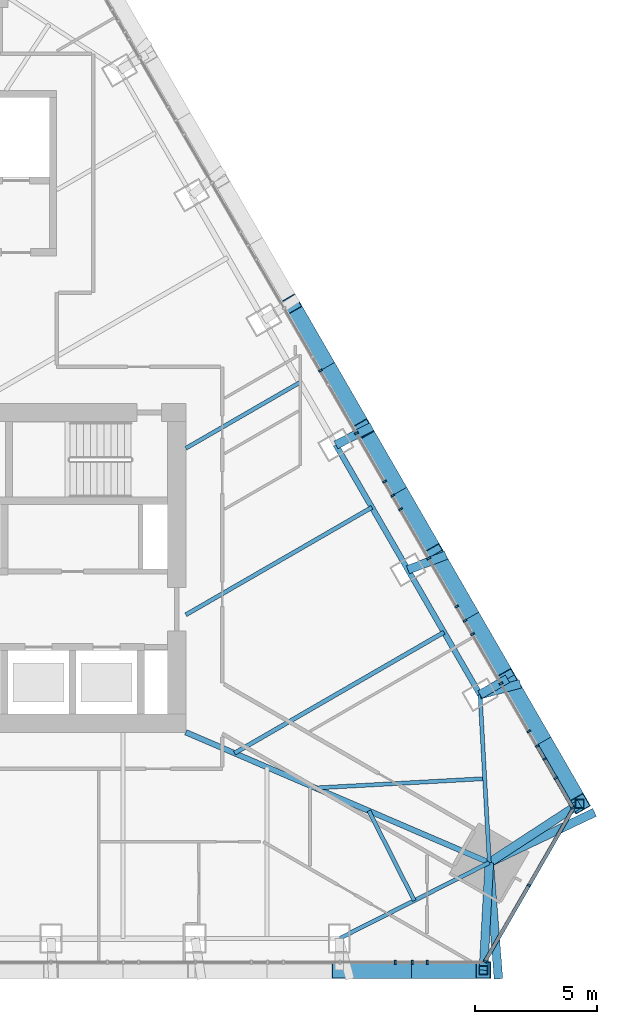
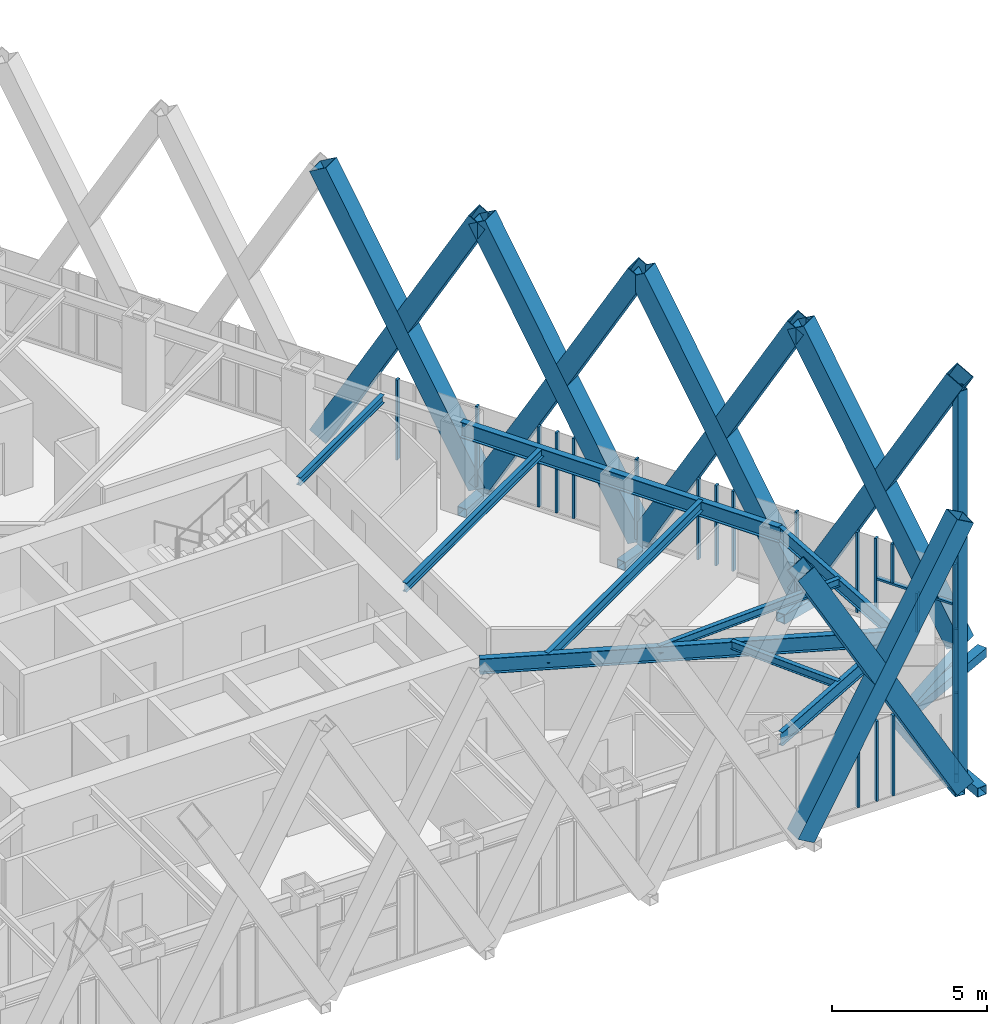
# One storey, part 7 of 23: 42 members, 9 beams, 3 elements without a shape of their own.
"""IFC4 building model written with IfcOpenShell, lengths in metres."""

import ifcopenshell
import ifcopenshell.guid

model = None  # the IFC model being written
_history = None  # IfcOwnerHistory: only IFC2X3 demands one
_inside = {}  # id of a spatial element -> (the spatial element, [elements in it])
_under = {}  # id of a project, library or spatial element -> (it, [spatial elements below it])
_declared = {}  # id of a project -> (the project, [libraries it declares])
_typed = {}  # id of a type object -> (the type object, [elements of that type])
_made_of = {}  # id of a material, layer set ... -> (it, [elements and type objects made of it])


def new_model(schema):
    """Start an empty IFC model of exactly this schema.

    Asked for "IFC4X3", IfcOpenShell would pick the latest addendum, in which some entities
    have other attributes; the version numbers below select the first issue.
    IFC2X3 requires an IfcOwnerHistory on every rooted entity: one is made here for all.
    """
    global model, _history
    if schema == "IFC4X3":
        model = ifcopenshell.file(schema_version=(4, 3, 0, 0))
    else:
        model = ifcopenshell.file(schema=schema)
    _inside.clear()
    _under.clear()
    _declared.clear()
    _typed.clear()
    _made_of.clear()
    _history = None
    if model.schema == "IFC2X3":
        org = make("IfcOrganization", Name="unknown")
        user = make(
            "IfcPersonAndOrganization",
            ThePerson=make("IfcPerson", FamilyName="unknown"),
            TheOrganization=org,
        )
        app = make(
            "IfcApplication",
            ApplicationDeveloper=org,
            Version="unknown",
            ApplicationFullName="unknown",
            ApplicationIdentifier="unknown",
        )
        _history = make(
            "IfcOwnerHistory",
            OwningUser=user,
            OwningApplication=app,
            ChangeAction="ADDED",
            CreationDate=0,
        )
    return model


def make(cls, **values):
    """One entity of the class cls with the attributes given. An attribute that is None is left unset."""
    return model.create_entity(
        cls, **{name: value for name, value in values.items() if value is not None}
    )


def rooted(cls, **values):
    """An entity with a GlobalId (a new one), such as an element, a storey or a relation."""
    return make(cls, GlobalId=ifcopenshell.guid.new(), OwnerHistory=_history, **values)


def si_unit(unit_type, name, prefix=None):
    """IfcSIUnit, for example si_unit("LENGTHUNIT", "METRE", prefix="MILLI")."""
    return make("IfcSIUnit", UnitType=unit_type, Prefix=prefix, Name=name)


def assignment(units):
    """IfcUnitAssignment: the units of a project."""
    return None if units is None else make("IfcUnitAssignment", Units=units)


def point(xyz):
    """IfcCartesianPoint."""
    return None if xyz is None else make("IfcCartesianPoint", Coordinates=xyz)


def direction(xyz):
    """IfcDirection."""
    return None if xyz is None else make("IfcDirection", DirectionRatios=xyz)


def frame(location, z_axis=None, x_axis=None):
    """IfcAxis2Placement3D, a coordinate frame: its origin and axes. An axis left out is left unset."""
    return make(
        "IfcAxis2Placement3D",
        Location=point(location),
        Axis=direction(z_axis),
        RefDirection=direction(x_axis),
    )


def frame_2d(location, x_axis=None):
    """IfcAxis2Placement2D, a coordinate frame in the plane: its origin and x axis."""
    return make(
        "IfcAxis2Placement2D", Location=point(location), RefDirection=direction(x_axis)
    )


def origin():
    """The frame at (0, 0, 0) with its axes left unset."""
    return frame((0.0, 0.0, 0.0))


def origin_2d():
    """The frame at (0, 0) in the plane with its x axis left unset."""
    return frame_2d((0.0, 0.0))


def place(relative_to, where):
    """IfcLocalPlacement: puts the frame where relative to a parent placement (None: the world)."""
    return make(
        "IfcLocalPlacement", PlacementRelTo=relative_to, RelativePlacement=where
    )


def context(
    kind, dimensions, precision=None, world=None, true_north=None, identifier=None
):
    """IfcGeometricRepresentationContext, for example the 3D "Model" context."""
    return make(
        "IfcGeometricRepresentationContext",
        ContextIdentifier=identifier,
        ContextType=kind,
        CoordinateSpaceDimension=dimensions,
        Precision=precision,
        WorldCoordinateSystem=world,
        TrueNorth=true_north,
    )


def subcontext(parent, identifier, kind, view, scale=None):
    """IfcGeometricRepresentationSubContext, for example "Body" below "Model"."""
    return make(
        "IfcGeometricRepresentationSubContext",
        ContextIdentifier=identifier,
        ContextType=kind,
        ParentContext=parent,
        TargetScale=scale,
        TargetView=view,
    )


def project(units=None, contexts=None):
    """IfcProject with its units and contexts."""
    return rooted(
        "IfcProject",
        Name="project",
        RepresentationContexts=contexts,
        UnitsInContext=assignment(units),
    )


def spatial(cls, under=None, at=None, **own):
    """A site, building, storey or space (cls), placed at a placement, below another one or the project."""
    s = rooted(cls, ObjectPlacement=at, **own)
    if under is not None:
        _under.setdefault(under.id(), (under, []))[1].append(s)
    return s


def profile(cls, at=None, kind="AREA", **sizes):
    """A parametric profile (cls). Its sizes go by their IFC names, for example OverallWidth=200.0."""
    return make(cls, ProfileType=kind, Position=at, **sizes)


def rectangle(**sizes):
    """IfcRectangleProfileDef."""
    return profile("IfcRectangleProfileDef", **sizes)


def hollow_rectangle(**sizes):
    """IfcRectangleHollowProfileDef."""
    return profile("IfcRectangleHollowProfileDef", **sizes)


def i_section(**sizes):
    """IfcIShapeProfileDef."""
    return profile("IfcIShapeProfileDef", **sizes)


def extrude(swept, where, along, depth):
    """IfcExtrudedAreaSolid: the profile swept, set in the frame where, extruded along a direction by depth."""
    return make(
        "IfcExtrudedAreaSolid",
        SweptArea=swept,
        Position=where,
        ExtrudedDirection=direction(along),
        Depth=depth,
    )


def shape(context_of_items, identifier, shape_type, items):
    """IfcShapeRepresentation: the items that make up one representation, for example the "Body"."""
    return make(
        "IfcShapeRepresentation",
        ContextOfItems=context_of_items,
        RepresentationIdentifier=identifier,
        RepresentationType=shape_type,
        Items=items,
    )


def material(Name=None, Category=None):
    """IfcMaterial."""
    return make("IfcMaterial", Name=Name, Category=Category)


def layer(
    of_material, thickness, ventilated=None, Name=None, Category=None, Priority=None
):
    """IfcMaterialLayer: one layer of a wall or slab, of a material (None: an air gap)."""
    return make(
        "IfcMaterialLayer",
        Material=of_material,
        LayerThickness=thickness,
        IsVentilated=ventilated,
        Name=Name,
        Category=Category,
        Priority=Priority,
    )


def layer_set(layers, Name=None):
    """IfcMaterialLayerSet."""
    return make("IfcMaterialLayerSet", MaterialLayers=layers, LayerSetName=Name)


def material_profile(
    of_material, cross_section, Name=None, Category=None, Priority=None
):
    """IfcMaterialProfile: a cross section and its material."""
    return make(
        "IfcMaterialProfile",
        Name=Name,
        Material=of_material,
        Profile=cross_section,
        Priority=Priority,
        Category=Category,
    )


def profile_set(profiles, Name=None, composite=None):
    """IfcMaterialProfileSet."""
    return make(
        "IfcMaterialProfileSet",
        Name=Name,
        MaterialProfiles=profiles,
        CompositeProfile=composite,
    )


def made_of(thing, what):
    """Note that an element or type object is made of a material, layer set ...; save() writes the relation."""
    if what is not None:
        _made_of.setdefault(what.id(), (what, []))[1].append(thing)
    return thing


def type_object(cls, material=None, **own):
    """A type object (cls), such as IfcWallType, which elements share."""
    return made_of(rooted(cls, **own), material)


def element(
    cls,
    number,
    at=None,
    inside=None,
    cuts=None,
    type_object=None,
    material=None,
    context=None,
    identifier="Body",
    shape_type=None,
    held_by="IfcProductDefinitionShape",
    body=None,
    shapes=None,
    **own,
):
    """One element of the class cls, such as IfcWall. Its Tag is "e" and its number.

    at: its placement. inside: the storey or other place that contains it. cuts: it is an
    opening in that element (IfcRelVoidsElement). A single representation is given by context,
    identifier, shape_type and body (its items); several are given by shapes. held_by: the class
    of the entity that holds the representations. save() writes the other relations.
    """
    e = rooted(cls, Tag="e%d" % number, ObjectPlacement=at, **own)
    if body is not None:
        shapes = [shape(context, identifier, shape_type, body)]
    if shapes is not None:
        e.Representation = make(held_by, Representations=shapes)
    if inside is not None:
        _inside.setdefault(inside.id(), (inside, []))[1].append(e)
    if cuts is not None:
        rooted(
            "IfcRelVoidsElement", RelatingBuildingElement=cuts, RelatedOpeningElement=e
        )
    if type_object is not None:
        _typed.setdefault(type_object.id(), (type_object, []))[1].append(e)
    return made_of(e, material)


def aggregate(whole, parts):
    """IfcRelAggregates: a whole, such as a stair, and the parts it consists of."""
    return rooted("IfcRelAggregates", RelatingObject=whole, RelatedObjects=parts)


def save(model, path):
    """Write the relations noted so far, then the file.

    IfcRelAggregates (storeys below a building ...), IfcRelContainedInSpatialStructure (elements
    in a storey), IfcRelDefinesByType, IfcRelAssociatesMaterial and IfcRelDeclares: one each for
    every whole, place, type object, material and project.
    """
    for whole, parts in _under.values():
        aggregate(whole, parts)
    for where, things in _inside.values():
        rooted(
            "IfcRelContainedInSpatialStructure",
            RelatedElements=things,
            RelatingStructure=where,
        )
    for kind, things in _typed.values():
        rooted("IfcRelDefinesByType", RelatedObjects=things, RelatingType=kind)
    for what, things in _made_of.values():
        rooted("IfcRelAssociatesMaterial", RelatedObjects=things, RelatingMaterial=what)
    for by, libraries in _declared.values():
        rooted("IfcRelDeclares", RelatingContext=by, RelatedDefinitions=libraries)
    model.write(path)


model = new_model("IFC4")

# Units and contexts
model_context = context("Model", 3, precision=1e-05, world=origin(), true_north=direction((0.0, 1.0)))
body_context = subcontext(model_context, "Body", "Model", "MODEL_VIEW")
ifc_project = project(units=[si_unit("LENGTHUNIT", "METRE"), si_unit("AREAUNIT", "SQUARE_METRE"), si_unit("VOLUMEUNIT", "CUBIC_METRE"), si_unit("PLANEANGLEUNIT", "RADIAN"), si_unit("MASSUNIT", "GRAM", prefix="KILO")], contexts=[model_context])

# Site, building, storey
site_placement = place(None, origin())
site = spatial("IfcSite", under=ifc_project, at=site_placement, CompositionType="ELEMENT")
building_placement = place(site_placement, origin())
building = spatial("IfcBuilding", under=site, at=building_placement, Name="Firuza Gate Tower and Library", CompositionType="ELEMENT")
storey_placement = place(building_placement, frame((0.0, 0.0, 312.60009765625)))
storey = spatial("IfcBuildingStorey", under=building, at=storey_placement, Name="L76", CompositionType="ELEMENT", Elevation=312.60009765625)

# Members
ifc_material_1 = material(Name="Steel S355", Category="steel")
ifc_material_profile_1 = material_profile(ifc_material_1, hollow_rectangle(XDim=0.699951171875, YDim=0.699951171875, WallThickness=0.030029296875, at=origin_2d()))
ifc_profile_set_1 = profile_set([ifc_material_profile_1], Name="Steel S355")
member_type_1 = type_object("IfcMemberType", Name="BU700x700x30 Lattice brace", PredefinedType="BRACE", material=ifc_profile_set_1)
for number, where, z_axis, x_axis, name in (
    (1, (89.800048828125, 58.48046875, 0.0), (0.491122612788, 0.0, 0.871090454091), (0.0, 1.0, 0.0), "Lattice brace S 20.7R"),
    (2, (95.719970703125, 58.48046875, 0.0), (-0.491122612788, 0.0, 0.871090454091), (0.0, -1.0, 0.0), "Lattice brace S 20.7L"),
    (3, (99.66650390625, 65.315673828125, 0.0), (-0.245579035861, 0.42533276314, 0.871081498911), (-0.866013897511, -0.50001992892, 0.0), "Lattice brace E 20.1R"),
    (4, (96.706298828125, 70.442626953125, 0.0), (0.245579035861, -0.42533276314, 0.871081498911), (0.866013897511, 0.50001992892, 0.0), "Lattice brace E 20.1L"),
    (5, (96.706298828125, 70.442626953125, 0.0), (-0.245560003274, 0.42533487865, 0.871085831475), (-0.866031754707, -0.499988999718, 0.0), "Lattice brace E 20.2R"),
    (6, (93.746337890625, 75.569580078125, 0.0), (0.245560003274, -0.42533487865, 0.871085831475), (0.866031754707, 0.499988999718, 0.0), "Lattice brace E 20.2L"),
):
    element("IfcMember", number, at=place(storey_placement, frame(where, z_axis=z_axis, x_axis=x_axis)), inside=storey, type_object=member_type_1, Name=name, PredefinedType="BRACE", context=body_context, shape_type="SweptSolid", body=[
        extrude(hollow_rectangle(XDim=0.699951171875, YDim=0.699951171875, WallThickness=0.030029296875, at=origin_2d()), origin(), (0.0, 0.0, 1.0), 12.053955078125),
    ])
for number, where, z_axis, x_axis, name in (
    (7, (93.746337890625, 75.569580078125, 0.0), (-0.245562118689, 0.425318288547, 0.87109333558), (-0.866021444707, -0.500006857261, 0.0), "Lattice brace E 20.3R"),
    (8, (90.786376953125, 80.6962890625, 0.0), (0.245562118689, -0.425318288547, 0.87109333558), (0.866021444707, 0.500006857261, 0.0), "Lattice brace E 20.3L"),
):
    element("IfcMember", number, at=place(storey_placement, frame(where, z_axis=z_axis, x_axis=x_axis)), inside=storey, type_object=member_type_1, Name=name, PredefinedType="BRACE", context=body_context, shape_type="SweptSolid", body=[
        extrude(hollow_rectangle(XDim=0.699951171875, YDim=0.699951171875, WallThickness=0.030029296875, at=origin_2d()), origin(), (0.0, 0.0, 1.0), 12.0537109375),
    ])
for number, where, z_axis, x_axis, name in (
    (9, (90.786376953125, 80.6962890625, 0.0), (-0.245560003274, 0.42533487865, 0.871085831475), (-0.866031754707, -0.499988999718, 0.0), "Lattice brace E 20.4R"),
    (10, (87.826416015625, 85.8232421875, 0.0), (0.245560003274, -0.42533487865, 0.871085831475), (0.866031754707, 0.499988999718, 0.0), "Lattice brace E 20.4L"),
):
    element("IfcMember", number, at=place(storey_placement, frame(where, z_axis=z_axis, x_axis=x_axis)), inside=storey, type_object=member_type_1, Name=name, PredefinedType="BRACE", context=body_context, shape_type="SweptSolid", body=[
        extrude(hollow_rectangle(XDim=0.699951171875, YDim=0.699951171875, WallThickness=0.030029296875, at=origin_2d()), origin(), (0.0, 0.0, 1.0), 12.053955078125),
    ])

# Curtain wall, members
ifc_material_2 = material(Name="Aluminium 6063-T6", Category="aluminium")
ifc_layer_1 = layer(ifc_material_2, 0.14990234375)
ifc_layer_set_1 = layer_set([ifc_layer_1], Name="Unitised curtain wall, residences")
curtain_wall_type_1 = type_object("IfcCurtainWallType", Name="Unitised curtain wall, residences", PredefinedType="NOTDEFINED", material=ifc_layer_set_1)
placement = place(storey_placement, origin())
curtain_wall_1 = element("IfcCurtainWall", 11, at=placement, inside=storey, type_object=curtain_wall_type_1, Name="CW3 L76 S face", PredefinedType="NOTDEFINED")
ifc_material_3 = material(Name="Aluminium 6063-T6", Category="aluminium")
ifc_material_profile_2 = material_profile(ifc_material_3, rectangle(XDim=0.14990234375, YDim=0.080078125, at=origin_2d()))
ifc_profile_set_2 = profile_set([ifc_material_profile_2], Name="Aluminium 6063-T6")
member_type_2 = type_object("IfcMemberType", Name="Curtain wall mullion 80x150", PredefinedType="MULLION", material=ifc_profile_set_2)
member_1_placement = place(storey_placement, frame((92.797119140625, 58.805419921875, 0.14990234375), z_axis=(0.0, 0.0, 1.0), x_axis=(0.0, 1.0, 0.0)))
member_1 = element("IfcMember", 12, at=member_1_placement, type_object=member_type_2, Name="Mullion", PredefinedType="MULLION", context=body_context, shape_type="SweptSolid", body=[
    extrude(rectangle(XDim=0.14990234375, YDim=0.080078125, at=origin_2d()), origin(), (0.0, 0.0, 1.0), 3.14990234375),
])
member_2_placement = place(storey_placement, frame((92.107421875, 58.805419921875, 0.14990234375), z_axis=(0.0, 0.0, 1.0), x_axis=(0.0, 1.0, 0.0)))
member_2 = element("IfcMember", 13, at=member_2_placement, type_object=member_type_2, Name="Mullion", PredefinedType="MULLION", context=body_context, shape_type="SweptSolid", body=[
    extrude(rectangle(XDim=0.14990234375, YDim=0.080078125, at=origin_2d()), origin(), (0.0, 0.0, 1.0), 3.14990234375),
])
member_3_placement = place(storey_placement, frame((93.41259765625, 58.805419921875, 0.14990234375), z_axis=(0.0, 0.0, 1.0), x_axis=(0.0, 1.0, 0.0)))
member_3 = element("IfcMember", 14, at=member_3_placement, type_object=member_type_2, Name="Mullion", PredefinedType="MULLION", context=body_context, shape_type="SweptSolid", body=[
    extrude(rectangle(XDim=0.14990234375, YDim=0.080078125, at=origin_2d()), origin(), (0.0, 0.0, 1.0), 3.14990234375),
])
aggregate(curtain_wall_1, [member_1, member_2, member_3])

ifc_material_4 = material(Name="Aluminium 6063-T6", Category="aluminium")
ifc_layer_2 = layer(ifc_material_4, 0.14990234375)
ifc_layer_set_2 = layer_set([ifc_layer_2], Name="Corner curtain wall, chamfers")
curtain_wall_type_2 = type_object("IfcCurtainWallType", Name="Corner curtain wall, chamfers", PredefinedType="NOTDEFINED", material=ifc_layer_set_2)
curtain_wall_2 = element("IfcCurtainWall", 15, at=placement, inside=storey, type_object=curtain_wall_type_2, Name="CW4 L76 SE corner", PredefinedType="NOTDEFINED")
member_4_placement = place(storey_placement, frame((95.783203125, 58.840087890625, 0.14990234375), z_axis=(0.0, 0.0, 1.0), x_axis=(-0.866025403784, 0.5, 0.0)))
member_4 = element("IfcMember", 16, at=member_4_placement, type_object=member_type_2, Name="Mullion", PredefinedType="MULLION", context=body_context, shape_type="SweptSolid", body=[
    extrude(rectangle(XDim=0.14990234375, YDim=0.080078125, at=origin_2d()), origin(), (0.0, 0.0, 1.0), 3.14990234375),
])
member_5_placement = place(storey_placement, frame((97.5849609375, 61.960693359375, 0.14990234375), z_axis=(0.0, 0.0, 1.0), x_axis=(-0.866025403784, 0.5, 0.0)))
member_5 = element("IfcMember", 17, at=member_5_placement, type_object=member_type_2, Name="Mullion", PredefinedType="MULLION", context=body_context, shape_type="SweptSolid", body=[
    extrude(rectangle(XDim=0.14990234375, YDim=0.080078125, at=origin_2d()), origin(), (0.0, 0.0, 1.0), 3.14990234375),
])

curtain_wall_3 = element("IfcCurtainWall", 18, at=placement, inside=storey, type_object=curtain_wall_type_1, Name="CW3 L76 E face", PredefinedType="NOTDEFINED")
member_6_placement = place(storey_placement, frame((99.38671875, 65.150390625, 0.14990234375), z_axis=(0.0, 0.0, 1.0), x_axis=(-0.866025403784, -0.5, 0.0)))
member_6 = element("IfcMember", 19, at=member_6_placement, type_object=member_type_2, Name="Mullion", PredefinedType="MULLION", context=body_context, shape_type="SweptSolid", body=[
    extrude(rectangle(XDim=0.14990234375, YDim=0.080078125, at=origin_2d()), origin(), (0.0, 0.0, 1.0), 3.14990234375),
])
member_7_placement = place(storey_placement, frame((97.923583984375, 67.6845703125, 0.14990234375), z_axis=(0.0, 0.0, 1.0), x_axis=(-0.866025403784, -0.5, 0.0)))
member_7 = element("IfcMember", 20, at=member_7_placement, type_object=member_type_2, Name="Mullion", PredefinedType="MULLION", context=body_context, shape_type="SweptSolid", body=[
    extrude(rectangle(XDim=0.14990234375, YDim=0.080078125, at=origin_2d()), origin(), (0.0, 0.0, 1.0), 3.14990234375),
])
member_8_placement = place(storey_placement, frame((96.4404296875, 70.25341796875, 0.14990234375), z_axis=(0.0, 0.0, 1.0), x_axis=(-0.866025403784, -0.5, 0.0)))
member_8 = element("IfcMember", 21, at=member_8_placement, type_object=member_type_2, Name="Mullion", PredefinedType="MULLION", context=body_context, shape_type="SweptSolid", body=[
    extrude(rectangle(XDim=0.14990234375, YDim=0.080078125, at=origin_2d()), origin(), (0.0, 0.0, 1.0), 3.14990234375),
])
member_9_placement = place(storey_placement, frame((94.957275390625, 72.822021484375, 0.14990234375), z_axis=(0.0, 0.0, 1.0), x_axis=(-0.866025403784, -0.5, 0.0)))
member_9 = element("IfcMember", 22, at=member_9_placement, type_object=member_type_2, Name="Mullion", PredefinedType="MULLION", context=body_context, shape_type="SweptSolid", body=[
    extrude(rectangle(XDim=0.14990234375, YDim=0.080078125, at=origin_2d()), origin(), (0.0, 0.0, 1.0), 3.14990234375),
])
member_10_placement = place(storey_placement, frame((93.47412109375, 75.390869140625, 0.14990234375), z_axis=(0.0, 0.0, 1.0), x_axis=(-0.866025403784, -0.5, 0.0)))
member_10 = element("IfcMember", 23, at=member_10_placement, type_object=member_type_2, Name="Mullion", PredefinedType="MULLION", context=body_context, shape_type="SweptSolid", body=[
    extrude(rectangle(XDim=0.14990234375, YDim=0.080078125, at=origin_2d()), origin(), (0.0, 0.0, 1.0), 3.14990234375),
])
member_11_placement = place(storey_placement, frame((91.9912109375, 77.959716796875, 0.14990234375), z_axis=(0.0, 0.0, 1.0), x_axis=(-0.866025403784, -0.5, 0.0)))
member_11 = element("IfcMember", 24, at=member_11_placement, type_object=member_type_2, Name="Mullion", PredefinedType="MULLION", context=body_context, shape_type="SweptSolid", body=[
    extrude(rectangle(XDim=0.14990234375, YDim=0.080078125, at=origin_2d()), origin(), (0.0, 0.0, 1.0), 3.14990234375),
])
member_12_placement = place(storey_placement, frame((90.508056640625, 80.528564453125, 0.14990234375), z_axis=(0.0, 0.0, 1.0), x_axis=(-0.866025403784, -0.5, 0.0)))
member_12 = element("IfcMember", 25, at=member_12_placement, type_object=member_type_2, Name="Mullion", PredefinedType="MULLION", context=body_context, shape_type="SweptSolid", body=[
    extrude(rectangle(XDim=0.14990234375, YDim=0.080078125, at=origin_2d()), origin(), (0.0, 0.0, 1.0), 3.14990234375),
])
member_13_placement = place(storey_placement, frame((89.02490234375, 83.097412109375, 0.14990234375), z_axis=(0.0, 0.0, 1.0), x_axis=(-0.866025403784, -0.5, 0.0)))
member_13 = element("IfcMember", 26, at=member_13_placement, type_object=member_type_2, Name="Mullion", PredefinedType="MULLION", context=body_context, shape_type="SweptSolid", body=[
    extrude(rectangle(XDim=0.14990234375, YDim=0.080078125, at=origin_2d()), origin(), (0.0, 0.0, 1.0), 3.14990234375),
])
member_14_placement = place(storey_placement, frame((98.6865234375, 66.363037109375, 0.14990234375), z_axis=(0.0, 0.0, 1.0), x_axis=(-0.866025403784, -0.5, 0.0)))
member_14 = element("IfcMember", 27, at=member_14_placement, type_object=member_type_2, Name="Mullion", PredefinedType="MULLION", context=body_context, shape_type="SweptSolid", body=[
    extrude(rectangle(XDim=0.14990234375, YDim=0.080078125, at=origin_2d()), origin(), (0.0, 0.0, 1.0), 1.534912109375),
])
member_15_placement = place(storey_placement, frame((98.231201171875, 67.151611328125, 1.764892578125), z_axis=(0.0, 0.0, 1.0), x_axis=(-0.866025403784, -0.5, 0.0)))
member_15 = element("IfcMember", 28, at=member_15_placement, type_object=member_type_2, Name="Mullion", PredefinedType="MULLION", context=body_context, shape_type="SweptSolid", body=[
    extrude(rectangle(XDim=0.14990234375, YDim=0.080078125, at=origin_2d()), origin(), (0.0, 0.0, 1.0), 1.534912109375),
])
member_16_placement = place(storey_placement, frame((97.57861328125, 68.281982421875, 0.14990234375), z_axis=(0.0, 0.0, 1.0), x_axis=(-0.866025403784, -0.5, 0.0)))
member_16 = element("IfcMember", 29, at=member_16_placement, type_object=member_type_2, Name="Mullion", PredefinedType="MULLION", context=body_context, shape_type="SweptSolid", body=[
    extrude(rectangle(XDim=0.14990234375, YDim=0.080078125, at=origin_2d()), origin(), (0.0, 0.0, 1.0), 3.14990234375),
])
member_17_placement = place(storey_placement, frame((95.271240234375, 72.2783203125, 0.14990234375), z_axis=(0.0, 0.0, 1.0), x_axis=(-0.866025403784, -0.5, 0.0)))
member_17 = element("IfcMember", 30, at=member_17_placement, type_object=member_type_2, Name="Mullion", PredefinedType="MULLION", context=body_context, shape_type="SweptSolid", body=[
    extrude(rectangle(XDim=0.14990234375, YDim=0.080078125, at=origin_2d()), origin(), (0.0, 0.0, 1.0), 3.14990234375),
])
member_18_placement = place(storey_placement, frame((94.61865234375, 73.40869140625, 0.14990234375), z_axis=(0.0, 0.0, 1.0), x_axis=(-0.866025403784, -0.5, 0.0)))
member_18 = element("IfcMember", 31, at=member_18_placement, type_object=member_type_2, Name="Mullion", PredefinedType="MULLION", context=body_context, shape_type="SweptSolid", body=[
    extrude(rectangle(XDim=0.14990234375, YDim=0.080078125, at=origin_2d()), origin(), (0.0, 0.0, 1.0), 3.14990234375),
])
member_19_placement = place(storey_placement, frame((92.311279296875, 77.4052734375, 0.14990234375), z_axis=(0.0, 0.0, 1.0), x_axis=(-0.866025403784, -0.5, 0.0)))
member_19 = element("IfcMember", 32, at=member_19_placement, type_object=member_type_2, Name="Mullion", PredefinedType="MULLION", context=body_context, shape_type="SweptSolid", body=[
    extrude(rectangle(XDim=0.14990234375, YDim=0.080078125, at=origin_2d()), origin(), (0.0, 0.0, 1.0), 3.14990234375),
])
member_20_placement = place(storey_placement, frame((91.65869140625, 78.53564453125, 0.14990234375), z_axis=(0.0, 0.0, 1.0), x_axis=(-0.866025403784, -0.5, 0.0)))
member_20 = element("IfcMember", 33, at=member_20_placement, type_object=member_type_2, Name="Mullion", PredefinedType="MULLION", context=body_context, shape_type="SweptSolid", body=[
    extrude(rectangle(XDim=0.14990234375, YDim=0.080078125, at=origin_2d()), origin(), (0.0, 0.0, 1.0), 3.14990234375),
])

# Member
ifc_material_5 = material(Name="Aluminium 6063-T6", Category="aluminium")
ifc_material_profile_3 = material_profile(ifc_material_5, rectangle(XDim=0.14990234375, YDim=0.35009765625, at=origin_2d()))
ifc_profile_set_3 = profile_set([ifc_material_profile_3], Name="Aluminium 6063-T6")
member_type_3 = type_object("IfcMemberType", Name="Curtain wall transom 350x150", PredefinedType="USERDEFINED", material=ifc_profile_set_3)
member_21_placement = place(storey_placement, frame((95.76318359375, 58.805419921875, -0.025146484375), z_axis=(0.500005719219, 0.866022101766, 0.0), x_axis=(-0.866022101766, 0.500005719219, 0.0)))
member_21 = element("IfcMember", 34, at=member_21_placement, type_object=member_type_3, Name="Transom", ObjectType="TRANSOM", PredefinedType="USERDEFINED", context=body_context, shape_type="SweptSolid", body=[
    extrude(rectangle(XDim=0.14990234375, YDim=0.35009765625, at=origin_2d()), origin(), (0.0, 0.0, 1.0), 7.28662109375),
])

aggregate(curtain_wall_2, [member_4, member_5, member_21])

ifc_material_6 = material(Name="Aluminium 6063-T6", Category="aluminium")
ifc_material_profile_4 = material_profile(ifc_material_6, rectangle(XDim=0.14990234375, YDim=0.080078125, at=origin_2d()))
ifc_profile_set_4 = profile_set([ifc_material_profile_4], Name="Aluminium 6063-T6")
member_type_4 = type_object("IfcMemberType", Name="Curtain wall transom 80x150", PredefinedType="USERDEFINED", material=ifc_profile_set_4)
member_22_placement = place(storey_placement, frame((99.38671875, 65.150390625, 1.724853515625), z_axis=(-0.500005579313, 0.866022182542, 0.0), x_axis=(-0.866022182542, -0.500005579313, 0.0)))
member_22 = element("IfcMember", 35, at=member_22_placement, type_object=member_type_4, Name="Transom", ObjectType="TRANSOM", PredefinedType="USERDEFINED", context=body_context, shape_type="SweptSolid", body=[
    extrude(rectangle(XDim=0.14990234375, YDim=0.080078125, at=origin_2d()), origin(), (0.0, 0.0, 1.0), 2.88623046875),
])

aggregate(curtain_wall_3, [member_6, member_7, member_8, member_9, member_10, member_11, member_12, member_13, member_14, member_15, member_22, member_16, member_17, member_18, member_19, member_20])

# Members
ifc_material_7 = material(Name="Steel S355", Category="steel")
ifc_material_profile_5 = material_profile(ifc_material_7, hollow_rectangle(XDim=0.355712890625, YDim=0.355712890625, WallThickness=0.014892578125, at=origin_2d()))
ifc_profile_set_5 = profile_set([ifc_material_profile_5], Name="Steel S355")
member_type_5 = type_object("IfcMemberType", Name="HSS356x356x16 Lattice corner stile", PredefinedType="BRACE", material=ifc_profile_set_5)
for number, where, z_axis, x_axis, name in (
    (36, (95.719970703125, 58.48046875, -0.14013671875), (0.0, 0.0, 1.0), (1.0, 0.0, 0.0), "Lattice corner stile S 20.B"),
    (37, (99.66650390625, 65.315673828125, -0.14013671875), (0.0, 0.0, 1.0), (1.0, 0.0, 0.0), "Lattice corner stile E 20.A"),
):
    element("IfcMember", number, at=place(storey_placement, frame(where, z_axis=z_axis, x_axis=x_axis)), inside=storey, type_object=member_type_5, Name=name, PredefinedType="BRACE", context=body_context, shape_type="SweptSolid", body=[
        extrude(hollow_rectangle(XDim=0.355712890625, YDim=0.355712890625, WallThickness=0.014892578125, at=origin_2d()), origin(), (0.0, 0.0, 1.0), 10.14013671875),
    ])
ifc_material_8 = material(Name="Steel S355", Category="steel")
ifc_material_profile_6 = material_profile(ifc_material_8, hollow_rectangle(XDim=0.355712890625, YDim=0.355712890625, WallThickness=0.014892578125, at=origin_2d()))
ifc_profile_set_6 = profile_set([ifc_material_profile_6], Name="Steel S355")
member_type_6 = type_object("IfcMemberType", Name="HSS356x356x16 Lattice node tie", PredefinedType="BRACE", material=ifc_profile_set_6)
member_23_placement = place(storey_placement, frame((89.66064453125, 80.04638671875, -0.320068359375), z_axis=(0.89131352681, 0.453387468866, 0.0), x_axis=(-0.453387468866, 0.89131352681, 0.0)))
element("IfcMember", 38, at=member_23_placement, inside=storey, type_object=member_type_6, Name="Lattice node tie E L76 535", PredefinedType="BRACE", context=body_context, shape_type="SweptSolid", body=[
    extrude(hollow_rectangle(XDim=0.355712890625, YDim=0.355712890625, WallThickness=0.014892578125, at=origin_2d()), origin(), (0.0, 0.0, 1.0), 1.657958984375),
])
member_24_placement = place(storey_placement, frame((92.62060546875, 74.91943359375, -0.320068359375), z_axis=(0.933926060074, 0.357466242202, 0.0), x_axis=(-0.357466242202, 0.933926060074, 0.0)))
element("IfcMember", 39, at=member_24_placement, inside=storey, type_object=member_type_6, Name="Lattice node tie E L76 536", PredefinedType="BRACE", context=body_context, shape_type="SweptSolid", body=[
    extrude(hollow_rectangle(XDim=0.355712890625, YDim=0.355712890625, WallThickness=0.014892578125, at=origin_2d()), origin(), (0.0, 0.0, 1.0), 1.6767578125),
])
member_25_placement = place(storey_placement, frame((95.58056640625, 69.792724609375, -0.320068359375), z_axis=(0.965392491391, 0.260801337355, 0.0), x_axis=(-0.260801337355, 0.965392491391, 0.0)))
element("IfcMember", 40, at=member_25_placement, inside=storey, type_object=member_type_6, Name="Lattice node tie E L76 537", PredefinedType="BRACE", context=body_context, shape_type="SweptSolid", body=[
    extrude(hollow_rectangle(XDim=0.355712890625, YDim=0.355712890625, WallThickness=0.014892578125, at=origin_2d()), origin(), (0.0, 0.0, 1.0), 1.713134765625),
])
member_26_placement = place(storey_placement, frame((95.58056640625, 69.792724609375, -0.320068359375), z_axis=(0.86603858612, 0.49997716683, 0.0), x_axis=(-0.49997716683, 0.86603858612, 0.0)))
element("IfcMember", 41, at=member_26_placement, inside=storey, type_object=member_type_6, Name="Lattice node tie E L76 538", PredefinedType="BRACE", context=body_context, shape_type="SweptSolid", body=[
    extrude(hollow_rectangle(XDim=0.355712890625, YDim=0.355712890625, WallThickness=0.014892578125, at=origin_2d()), origin(), (0.0, 0.0, 1.0), 1.2998046875),
])
member_27_placement = place(storey_placement, frame((95.961181640625, 62.898193359375, -0.320068359375), z_axis=(0.902515271089, 0.430657851956, 0.0), x_axis=(-0.430657851956, 0.902515271089, 0.0)))
element("IfcMember", 42, at=member_27_placement, inside=storey, type_object=member_type_6, Name="Lattice node tie E L76 539", PredefinedType="BRACE", context=body_context, shape_type="SweptSolid", body=[
    extrude(hollow_rectangle(XDim=0.355712890625, YDim=0.355712890625, WallThickness=0.014892578125, at=origin_2d()), origin(), (0.0, 0.0, 1.0), 4.7880859375),
])
member_28_placement = place(storey_placement, frame((95.961181640625, 62.898193359375, -0.320068359375), z_axis=(0.837510682777, 0.546420951496, 0.0), x_axis=(-0.546420951496, 0.837510682777, 0.0)))
element("IfcMember", 43, at=member_28_placement, inside=storey, type_object=member_type_6, Name="Lattice node tie E L76 540", PredefinedType="BRACE", context=body_context, shape_type="SweptSolid", body=[
    extrude(hollow_rectangle(XDim=0.355712890625, YDim=0.355712890625, WallThickness=0.014892578125, at=origin_2d()), origin(), (0.0, 0.0, 1.0), 4.42431640625),
])
member_29_placement = place(storey_placement, frame((95.961181640625, 62.898193359375, -0.320068359375), z_axis=(0.078267757464, -0.996932373906, 0.0), x_axis=(0.996932373906, 0.078267757464, 0.0)))
element("IfcMember", 44, at=member_29_placement, inside=storey, type_object=member_type_6, Name="Lattice node tie S L76 551", PredefinedType="BRACE", context=body_context, shape_type="SweptSolid", body=[
    extrude(hollow_rectangle(XDim=0.355712890625, YDim=0.355712890625, WallThickness=0.014892578125, at=origin_2d()), origin(), (0.0, 0.0, 1.0), 4.7880859375),
])
member_30_placement = place(storey_placement, frame((95.961181640625, 62.898193359375, -0.320068359375), z_axis=(-0.054519511079, -0.998512705433, 0.0), x_axis=(0.998512705433, -0.054519511079, 0.0)))
element("IfcMember", 45, at=member_30_placement, inside=storey, type_object=member_type_6, Name="Lattice node tie S L76 552", PredefinedType="BRACE", context=body_context, shape_type="SweptSolid", body=[
    extrude(hollow_rectangle(XDim=0.355712890625, YDim=0.355712890625, WallThickness=0.014892578125, at=origin_2d()), origin(), (0.0, 0.0, 1.0), 4.42431640625),
])

# Beams
ifc_material_9 = material(Name="Steel S355", Category="steel")
ifc_material_profile_7 = material_profile(ifc_material_9, i_section(OverallWidth=0.1650390625, OverallDepth=0.31005859375, WebThickness=0.005859375, FlangeThickness=0.009765625, at=origin_2d()))
ifc_profile_set_7 = profile_set([ifc_material_profile_7], Name="Steel S355")
beam_type_1 = type_object("IfcBeamType", Name="W310x39 Floor beam", PredefinedType="JOIST", material=ifc_profile_set_7)
beam_1_placement = place(storey_placement, frame((92.880615234375, 61.339111328125, 3.14501953125), z_axis=(-0.451491484808, 0.892275427851, 0.0), x_axis=(-0.892275427851, -0.451491484808, 0.0)))
element("IfcBeam", 46, at=beam_1_placement, inside=storey, type_object=beam_type_1, Name="Floor beam L76 s30", PredefinedType="JOIST", context=body_context, shape_type="SweptSolid", body=[
    extrude(i_section(OverallWidth=0.1650390625, OverallDepth=0.31005859375, WebThickness=0.005859375, FlangeThickness=0.009765625, at=origin_2d()), origin(), (0.0, 0.0, 1.0), 4.126953125),
])
beam_2_placement = place(storey_placement, frame((95.770751953125, 66.345458984375, 3.14501953125), z_axis=(-0.998479843112, -0.055118081421, 0.0), x_axis=(0.055118081421, -0.998479843112, 0.0)))
element("IfcBeam", 47, at=beam_2_placement, inside=storey, type_object=beam_type_1, Name="Floor beam L76 s40", PredefinedType="JOIST", context=body_context, shape_type="SweptSolid", body=[
    extrude(i_section(OverallWidth=0.1650390625, OverallDepth=0.31005859375, WebThickness=0.005859375, FlangeThickness=0.009765625, at=origin_2d()), origin(), (0.0, 0.0, 1.0), 6.9541015625),
])
beam_3_placement = place(storey_placement, frame((88.1806640625, 82.60986328125, 3.14501953125), z_axis=(-0.866024608893, -0.500001376791, 0.0), x_axis=(0.500001376791, -0.866024608893, 0.0)))
element("IfcBeam", 48, at=beam_3_placement, inside=storey, type_object=beam_type_1, Name="Floor beam L76 s52", PredefinedType="JOIST", context=body_context, shape_type="SweptSolid", body=[
    extrude(i_section(OverallWidth=0.1650390625, OverallDepth=0.31005859375, WebThickness=0.005859375, FlangeThickness=0.009765625, at=origin_2d()), origin(), (0.0, 0.0, 1.0), 5.40478515625),
])
ifc_material_10 = material(Name="Steel S355", Category="steel")
ifc_material_profile_8 = material_profile(ifc_material_10, i_section(OverallWidth=0.1708984375, OverallDepth=0.35498046875, WebThickness=0.007080078125, FlangeThickness=0.01171875, at=origin_2d()))
ifc_profile_set_8 = profile_set([ifc_material_profile_8], Name="Steel S355")
beam_type_2 = type_object("IfcBeamType", Name="W360x51 Floor beam", PredefinedType="JOIST", material=ifc_profile_set_8)
beam_4_placement = place(storey_placement, frame((91.140625, 77.48291015625, 3.122314453125), z_axis=(-0.866022456413, -0.500005104963, 0.0), x_axis=(0.500005104963, -0.866022456413, 0.0)))
element("IfcBeam", 49, at=beam_4_placement, inside=storey, type_object=beam_type_2, Name="Floor beam L76 s51", PredefinedType="JOIST", context=body_context, shape_type="SweptSolid", body=[
    extrude(i_section(OverallWidth=0.1708984375, OverallDepth=0.35498046875, WebThickness=0.007080078125, FlangeThickness=0.01171875, at=origin_2d()), origin(), (0.0, 0.0, 1.0), 8.82275390625),
])
ifc_material_11 = material(Name="Steel S355", Category="steel")
ifc_material_profile_9 = material_profile(ifc_material_11, i_section(OverallWidth=0.177978515625, OverallDepth=0.406982421875, WebThickness=0.0078125, FlangeThickness=0.0126953125, at=origin_2d()))
ifc_profile_set_9 = profile_set([ifc_material_profile_9], Name="Steel S355")
beam_type_3 = type_object("IfcBeamType", Name="W410x60 Floor beam", PredefinedType="JOIST", material=ifc_profile_set_9)
beam_5_placement = place(storey_placement, frame((94.1005859375, 72.35595703125, 3.096435546875), z_axis=(-0.866033287653, -0.49998634449, 0.0), x_axis=(0.49998634449, -0.866033287653, 0.0)))
element("IfcBeam", 50, at=beam_5_placement, inside=storey, type_object=beam_type_3, Name="Floor beam L76 s50", PredefinedType="JOIST", context=body_context, shape_type="SweptSolid", body=[
    extrude(i_section(OverallWidth=0.177978515625, OverallDepth=0.406982421875, WebThickness=0.0078125, FlangeThickness=0.0126953125, at=origin_2d()), origin(), (0.0, 0.0, 1.0), 9.930419921875),
])
ifc_material_12 = material(Name="Steel S355", Category="steel")
ifc_material_profile_10 = material_profile(ifc_material_12, i_section(OverallWidth=0.166015625, OverallDepth=0.534912109375, WebThickness=0.01025390625, FlangeThickness=0.0166015625, at=origin_2d()))
ifc_profile_set_10 = profile_set([ifc_material_profile_10], Name="Steel S355")
beam_type_4 = type_object("IfcBeamType", Name="W530x85 Edge beam", PredefinedType="SPANDREL", material=ifc_profile_set_10)
for number, where, z_axis, x_axis, name in (
    (51, (89.800048828125, 59.7802734375, 3.032470703125), (0.89225291274, 0.451535978309, 0.0), (-0.451535978309, 0.89225291274, 0.0), "Edge beam L76 e30"),
    (52, (95.961181640625, 62.898193359375, 3.032470703125), (-0.055121451324, 0.998479657081, 0.0), (-0.998479657081, -0.055121451324, 0.0), "Edge beam L76 e40"),
):
    element("IfcBeam", number, at=place(storey_placement, frame(where, z_axis=z_axis, x_axis=x_axis)), inside=storey, type_object=beam_type_4, Name=name, PredefinedType="SPANDREL", context=body_context, shape_type="SweptSolid", body=[
        extrude(i_section(OverallWidth=0.166015625, OverallDepth=0.534912109375, WebThickness=0.01025390625, FlangeThickness=0.0166015625, at=origin_2d()), origin(), (0.0, 0.0, 1.0), 6.905029296875),
    ])
ifc_material_13 = material(Name="Steel S355", Category="steel")
ifc_material_profile_11 = material_profile(ifc_material_13, i_section(OverallWidth=0.22802734375, OverallDepth=0.60302734375, WebThickness=0.010498046875, FlangeThickness=0.014892578125, at=origin_2d()))
ifc_profile_set_11 = profile_set([ifc_material_profile_11], Name="Steel S355")
beam_type_5 = type_object("IfcBeamType", Name="W610x101 Girder", PredefinedType="BEAM", material=ifc_profile_set_11)
beam_6_placement = place(storey_placement, frame((95.961181640625, 62.898193359375, 2.998291015625), z_axis=(-0.918843070784, 0.394623125618, 0.0), x_axis=(-0.394623125618, -0.918843070784, 0.0)))
element("IfcBeam", 53, at=beam_6_placement, inside=storey, type_object=beam_type_5, Name="Girder L76 gSE", PredefinedType="BEAM", context=body_context, shape_type="SweptSolid", body=[
    extrude(i_section(OverallWidth=0.22802734375, OverallDepth=0.60302734375, WebThickness=0.010498046875, FlangeThickness=0.014892578125, at=origin_2d()), origin(), (0.0, 0.0, 1.0), 13.561767578125),
])
ifc_material_14 = material(Name="Steel S355", Category="steel")
ifc_material_profile_12 = material_profile(ifc_material_14, i_section(OverallWidth=0.22900390625, OverallDepth=0.612060546875, WebThickness=0.011962890625, FlangeThickness=0.01953125, at=origin_2d()))
ifc_profile_set_12 = profile_set([ifc_material_profile_12], Name="Steel S355")
beam_type_6 = type_object("IfcBeamType", Name="W610x125 Edge beam", PredefinedType="SPANDREL", material=ifc_profile_set_12)
beam_7_placement = place(storey_placement, frame((95.58056640625, 69.792724609375, 2.993896484375), z_axis=(-0.499997928356, 0.866026599845, 0.0), x_axis=(-0.866026599845, -0.499997928356, 0.0)))
element("IfcBeam", 54, at=beam_7_placement, inside=storey, type_object=beam_type_6, Name="Edge beam L76 e50", PredefinedType="SPANDREL", context=body_context, shape_type="SweptSolid", body=[
    extrude(i_section(OverallWidth=0.22900390625, OverallDepth=0.612060546875, WebThickness=0.011962890625, FlangeThickness=0.01953125, at=origin_2d()), origin(), (0.0, 0.0, 1.0), 11.83984375),
])

save(model, "model.ifc")
